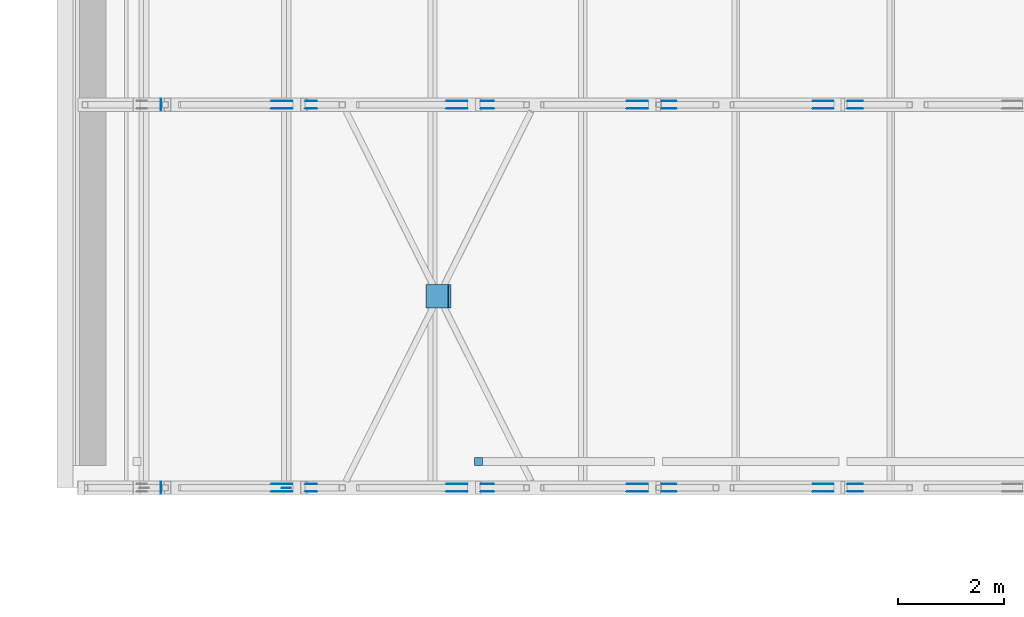
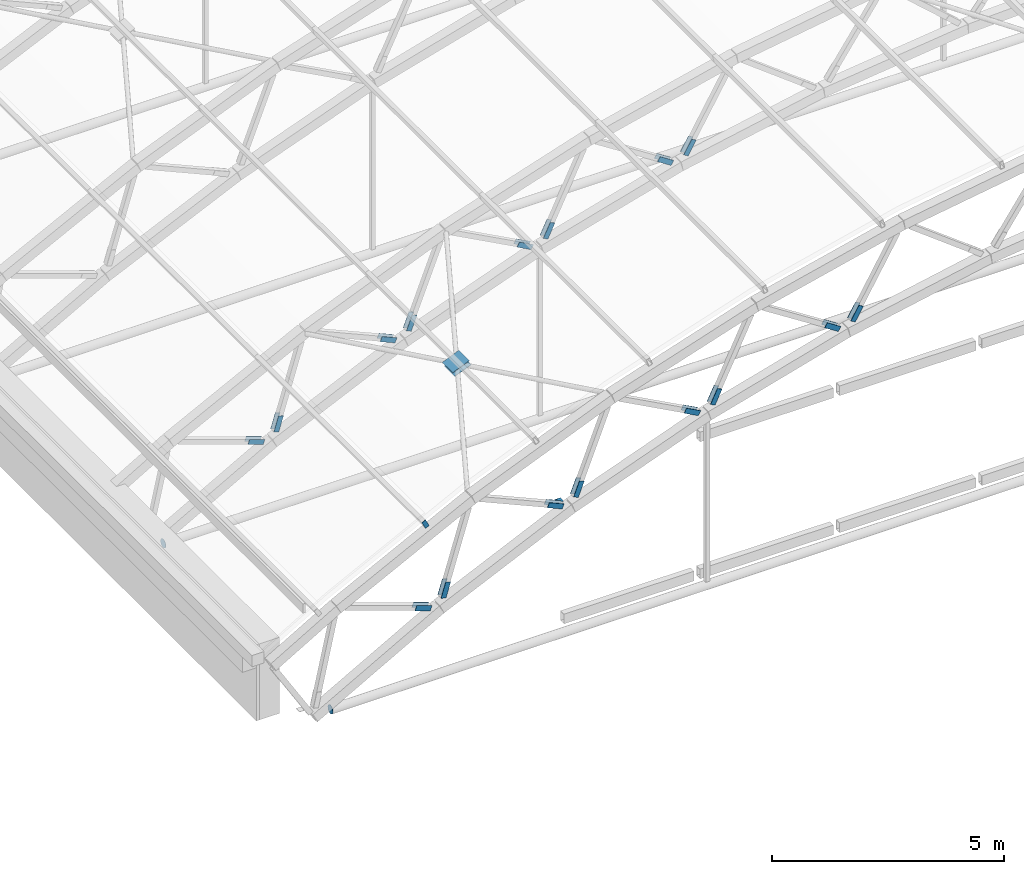
# One storey, part 103 of 127: 38 discrete accessories.
"""IFC4 building model written with IfcOpenShell, lengths in metres."""

from ifc_helpers import new_model, si_unit, direction, frame, origin, origin_2d, place, context, subcontext, project, spatial, rectangle, circle, extrude, material, material_profile, profile_set, type_object, element, save


model = new_model("IFC4")

# Units and contexts
model_context = context("Model", 3, precision=1e-05, world=origin(), true_north=direction((0.0, 1.0)))
body_context = subcontext(model_context, "Body", "Model", "MODEL_VIEW")
ifc_project = project(units=[si_unit("LENGTHUNIT", "METRE"), si_unit("AREAUNIT", "SQUARE_METRE"), si_unit("VOLUMEUNIT", "CUBIC_METRE"), si_unit("PLANEANGLEUNIT", "RADIAN"), si_unit("MASSUNIT", "GRAM", prefix="KILO")], contexts=[model_context])

# Site, building, storey
site_placement = place(None, origin())
site = spatial("IfcSite", under=ifc_project, at=site_placement, CompositionType="ELEMENT")
building_placement = place(site_placement, origin())
building = spatial("IfcBuilding", under=site, at=building_placement, Name="Verrick Yard Athletic Hall", CompositionType="ELEMENT")
storey_placement = place(building_placement, frame((0.0, 0.0, 14.0)))
storey = spatial("IfcBuildingStorey", under=building, at=storey_placement, Name="L03", CompositionType="ELEMENT", Elevation=14.0)

# Discrete accessories
ifc_material = material(Name="Structural steel 350W (CSA G40.21)", Category="steel")
ifc_material_profile_1 = material_profile(ifc_material, rectangle(XDim=0.39990234375, YDim=0.126953125, at=origin_2d()), Name="Brace end cheek plate")
ifc_profile_set_1 = profile_set([ifc_material_profile_1], Name="Structural steel 350W (CSA G40.21)")
discrete_accessory_type_1 = type_object("IfcDiscreteAccessoryType", Name="Brace end cheek plate 400x127x12", PredefinedType="BRACKET", material=ifc_profile_set_1)
for number, where, z_axis, x_axis, name in (
    (1, (124.32421875, 71.9365234375, 1.907470703125), (0.0, -1.0, 0.0), (-0.944025603302, 0.0, 0.32987218784), "Truss web end plate TA1-2 1"),
    (2, (124.32421875, 72.0634765625, 1.907470703125), (0.0, 1.0, 0.0), (-0.944025603302, 0.0, 0.32987218784), "Truss web end plate TA1-2 2"),
    (3, (124.877685546875, 72.0634765625, 2.18896484375), (0.0, 1.0, 0.0), (0.289473335175, 0.0, 0.95718607816), "Truss web end plate TA1-3 1"),
    (4, (124.877685546875, 71.9365234375, 2.18896484375), (0.0, -1.0, 0.0), (0.289473335175, 0.0, 0.95718607816), "Truss web end plate TA1-3 2"),
    (5, (127.61279296875, 71.9365234375, 3.447509765625), (0.0, -1.0, 0.0), (-0.915285173692, 0.0, 0.402806468194), "Truss web end plate TA1-4 1"),
    (6, (127.61279296875, 72.0634765625, 3.447509765625), (0.0, 1.0, 0.0), (-0.915285173692, 0.0, 0.402806468194), "Truss web end plate TA1-4 2"),
    (7, (128.186767578125, 72.0634765625, 3.684814453125), (0.0, 1.0, 0.0), (0.363562561074, 0.0, 0.931569784925), "Truss web end plate TA1-5 1"),
    (8, (128.186767578125, 71.9365234375, 3.684814453125), (0.0, -1.0, 0.0), (0.363562561074, 0.0, 0.931569784925), "Truss web end plate TA1-5 2"),
    (9, (131.01220703125, 71.9365234375, 4.725341796875), (0.0, -1.0, 0.0), (-0.880919955637, 0.0, 0.473265286876), "Truss web end plate TA1-6 1"),
    (10, (131.01220703125, 72.0634765625, 4.725341796875), (0.0, 1.0, 0.0), (-0.880919955637, 0.0, 0.473265286876), "Truss web end plate TA1-6 2"),
    (11, (131.602783203125, 72.0634765625, 4.9169921875), (0.0, 1.0, 0.0), (0.435417263932, 0.0, 0.90022875219), "Truss web end plate TA1-7 1"),
    (12, (131.602783203125, 71.9365234375, 4.9169921875), (0.0, -1.0, 0.0), (0.435417263932, 0.0, 0.90022875219), "Truss web end plate TA1-7 2"),
    (13, (134.501220703125, 71.9365234375, 5.73291015625), (0.0, -1.0, 0.0), (-0.841141186405, 0.0, 0.540815591984), "Truss web end plate TA1-8 1"),
    (14, (134.501220703125, 72.0634765625, 5.73291015625), (0.0, 1.0, 0.0), (-0.841141186405, 0.0, 0.540815591984), "Truss web end plate TA1-8 2"),
    (15, (135.10498046875, 72.0634765625, 5.877685546875), (0.0, 1.0, 0.0), (0.504596608522, 0.0, 0.863355235502), "Truss web end plate TA1-9 1"),
    (16, (135.10498046875, 71.9365234375, 5.877685546875), (0.0, -1.0, 0.0), (0.504596608522, 0.0, 0.863355235502), "Truss web end plate TA1-9 2"),
    (17, (124.32421875, 79.136474609375, 1.907470703125), (0.0, -1.0, 0.0), (-0.944025603302, 0.0, 0.32987218784), "Truss web end plate TA2-2 1"),
    (18, (124.32421875, 79.263427734375, 1.907470703125), (0.0, 1.0, 0.0), (-0.944025603302, 0.0, 0.32987218784), "Truss web end plate TA2-2 2"),
    (19, (124.877685546875, 79.263427734375, 2.18896484375), (0.0, 1.0, 0.0), (0.289473335175, 0.0, 0.95718607816), "Truss web end plate TA2-3 1"),
    (20, (124.877685546875, 79.136474609375, 2.18896484375), (0.0, -1.0, 0.0), (0.289473335175, 0.0, 0.95718607816), "Truss web end plate TA2-3 2"),
    (21, (127.61279296875, 79.136474609375, 3.447509765625), (0.0, -1.0, 0.0), (-0.915285173692, 0.0, 0.402806468194), "Truss web end plate TA2-4 1"),
    (22, (127.61279296875, 79.263427734375, 3.447509765625), (0.0, 1.0, 0.0), (-0.915285173692, 0.0, 0.402806468194), "Truss web end plate TA2-4 2"),
    (23, (128.186767578125, 79.263427734375, 3.684814453125), (0.0, 1.0, 0.0), (0.363562561074, 0.0, 0.931569784925), "Truss web end plate TA2-5 1"),
    (24, (128.186767578125, 79.136474609375, 3.684814453125), (0.0, -1.0, 0.0), (0.363562561074, 0.0, 0.931569784925), "Truss web end plate TA2-5 2"),
    (25, (131.01220703125, 79.136474609375, 4.725341796875), (0.0, -1.0, 0.0), (-0.880919955637, 0.0, 0.473265286876), "Truss web end plate TA2-6 1"),
    (26, (131.01220703125, 79.263427734375, 4.725341796875), (0.0, 1.0, 0.0), (-0.880919955637, 0.0, 0.473265286876), "Truss web end plate TA2-6 2"),
    (27, (131.602783203125, 79.263427734375, 4.9169921875), (0.0, 1.0, 0.0), (0.435417263932, 0.0, 0.90022875219), "Truss web end plate TA2-7 1"),
    (28, (131.602783203125, 79.136474609375, 4.9169921875), (0.0, -1.0, 0.0), (0.435417263932, 0.0, 0.90022875219), "Truss web end plate TA2-7 2"),
    (29, (134.501220703125, 79.136474609375, 5.73291015625), (0.0, -1.0, 0.0), (-0.841141186405, 0.0, 0.540815591984), "Truss web end plate TA2-8 1"),
    (30, (134.501220703125, 79.263427734375, 5.73291015625), (0.0, 1.0, 0.0), (-0.841141186405, 0.0, 0.540815591984), "Truss web end plate TA2-8 2"),
    (31, (135.10498046875, 79.263427734375, 5.877685546875), (0.0, 1.0, 0.0), (0.504596608522, 0.0, 0.863355235502), "Truss web end plate TA2-9 1"),
    (32, (135.10498046875, 79.136474609375, 5.877685546875), (0.0, -1.0, 0.0), (0.504596608522, 0.0, 0.863355235502), "Truss web end plate TA2-9 2"),
):
    element("IfcDiscreteAccessory", number, at=place(storey_placement, frame(where, z_axis=z_axis, x_axis=x_axis)), inside=storey, type_object=discrete_accessory_type_1, Name=name, PredefinedType="BRACKET", context=body_context, shape_type="SweptSolid", body=[
        extrude(rectangle(XDim=0.39990234375, YDim=0.126953125, at=origin_2d()), origin(), (0.0, 0.0, 1.0), 0.011962890625),
    ])
ifc_material_profile_2 = material_profile(ifc_material, rectangle(XDim=0.449951171875, YDim=0.449951171875, at=origin_2d()), Name="Brace node plate")
ifc_profile_set_2 = profile_set([ifc_material_profile_2], Name="Structural steel 350W (CSA G40.21)")
discrete_accessory_type_2 = type_object("IfcDiscreteAccessoryType", Name="Brace node plate 450x450x12", PredefinedType="BRACKET", material=ifc_profile_set_2)
discrete_accessory_1_placement = place(storey_placement, frame((127.29541015625, 75.60009765625, 5.028076171875), z_axis=(0.371390676354, 0.0, -0.928476690885), x_axis=(0.0, 1.0, 0.0)))
element("IfcDiscreteAccessory", 33, at=discrete_accessory_1_placement, inside=storey, type_object=discrete_accessory_type_2, Name="Brace node plate A1-1 1", PredefinedType="BRACKET", context=body_context, shape_type="SweptSolid", body=[
    extrude(rectangle(XDim=0.449951171875, YDim=0.449951171875, at=origin_2d()), origin(), (0.0, 0.0, 1.0), 0.01171875),
])
discrete_accessory_2_placement = place(storey_placement, frame((127.251708984375, 75.60009765625, 5.1337890625), z_axis=(-0.38897203704, 0.0, 0.921249561411), x_axis=(0.0, -1.0, 0.0)))
element("IfcDiscreteAccessory", 34, at=discrete_accessory_2_placement, inside=storey, type_object=discrete_accessory_type_2, Name="Brace node plate A1-1 2", PredefinedType="BRACKET", context=body_context, shape_type="SweptSolid", body=[
    extrude(rectangle(XDim=0.449951171875, YDim=0.449951171875, at=origin_2d()), origin(), (0.0, 0.0, 1.0), 0.011962890625),
])
ifc_material_profile_3 = material_profile(ifc_material, rectangle(XDim=0.1015625, YDim=0.203125, at=origin_2d()), Name="STR End cap plate 203x102x9.5")
ifc_profile_set_3 = profile_set([ifc_material_profile_3], Name="Structural steel 350W (CSA G40.21)")
discrete_accessory_type_3 = type_object("IfcDiscreteAccessoryType", Name="STR End cap plate 203x102x9.5", PredefinedType="BRACKET", material=ifc_profile_set_3)
discrete_accessory_3_placement = place(storey_placement, frame((124.410888671875, 71.989990234375, 4.046875), z_axis=(0.0, 1.0, 0.0), x_axis=(-0.891352741199, 0.0, -0.453310369126)))
element("IfcDiscreteAccessory", 35, at=discrete_accessory_3_placement, inside=storey, type_object=discrete_accessory_type_3, Name="End cap HB-PU-A-1-2 A", PredefinedType="BRACKET", context=body_context, shape_type="SweptSolid", body=[
    extrude(rectangle(XDim=0.1015625, YDim=0.203125, at=origin_2d()), origin(), (0.0, 0.0, 1.0), 0.010009765625),
])
ifc_material_profile_4 = material_profile(ifc_material, rectangle(XDim=0.15234375, YDim=0.15234375, at=origin_2d()), Name="STR End cap plate 152x152x9.5")
ifc_profile_set_4 = profile_set([ifc_material_profile_4], Name="Structural steel 350W (CSA G40.21)")
discrete_accessory_type_4 = type_object("IfcDiscreteAccessoryType", Name="STR End cap plate 152x152x9.5", PredefinedType="BRACKET", material=ifc_profile_set_4)
discrete_accessory_4_placement = place(storey_placement, frame((128.023681640625, 72.49462890625, 3.092041015625), z_axis=(0.0, 0.0, 1.0), x_axis=(1.0, 0.0, 0.0)))
element("IfcDiscreteAccessory", 36, at=discrete_accessory_4_placement, inside=storey, type_object=discrete_accessory_type_4, Name="End cap HB-GP-AS-2 B", PredefinedType="BRACKET", context=body_context, shape_type="SweptSolid", body=[
    extrude(rectangle(XDim=0.15234375, YDim=0.15234375, at=origin_2d()), origin(), (0.0, 0.0, 1.0), 0.010009765625),
])
ifc_material_profile_5 = material_profile(ifc_material, circle(Radius=0.109619140625, at=origin_2d()), Name="STR End cap plate 219x13")
ifc_profile_set_5 = profile_set([ifc_material_profile_5], Name="Structural steel 350W (CSA G40.21)")
discrete_accessory_type_5 = type_object("IfcDiscreteAccessoryType", Name="STR End cap plate 219x13", PredefinedType="BRACKET", material=ifc_profile_set_5)
for number, where, z_axis, x_axis, name in (
    (37, (122.04638671875, 72.0, 0.0), (1.0, 0.0, 0.0), (0.0, 1.0, 0.0), "End cap Truss TA1 tie 1 A"),
    (38, (122.04638671875, 79.199951171875, 0.0), (1.0, 0.0, 0.0), (0.0, 1.0, 0.0), "End cap Truss TA2 tie 1 A"),
):
    element("IfcDiscreteAccessory", number, at=place(storey_placement, frame(where, z_axis=z_axis, x_axis=x_axis)), inside=storey, type_object=discrete_accessory_type_5, Name=name, PredefinedType="BRACKET", context=body_context, shape_type="SweptSolid", body=[
        extrude(circle(Radius=0.109619140625, at=origin_2d()), origin(), (0.0, 0.0, 1.0), 0.010009765625),
    ])

save(model, "model.ifc")
